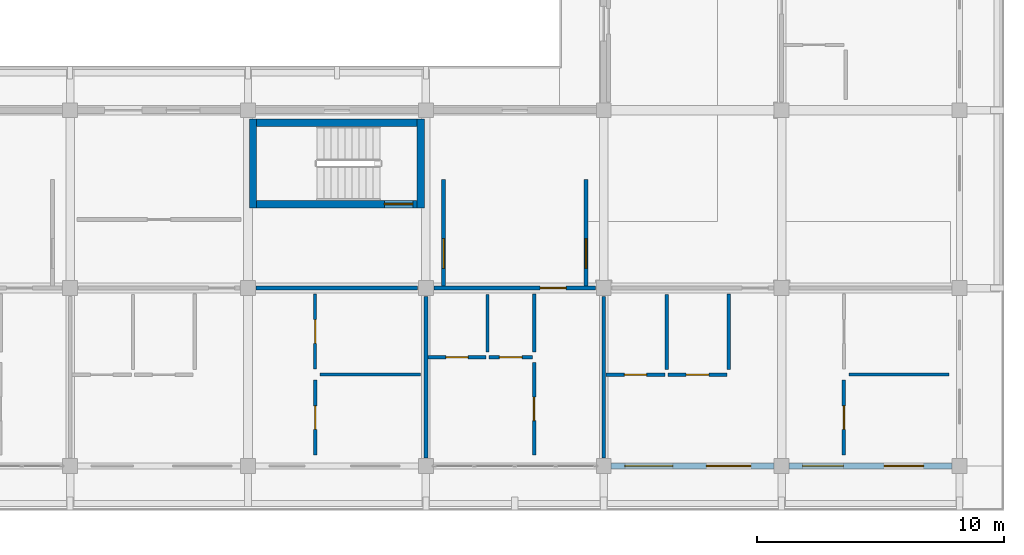
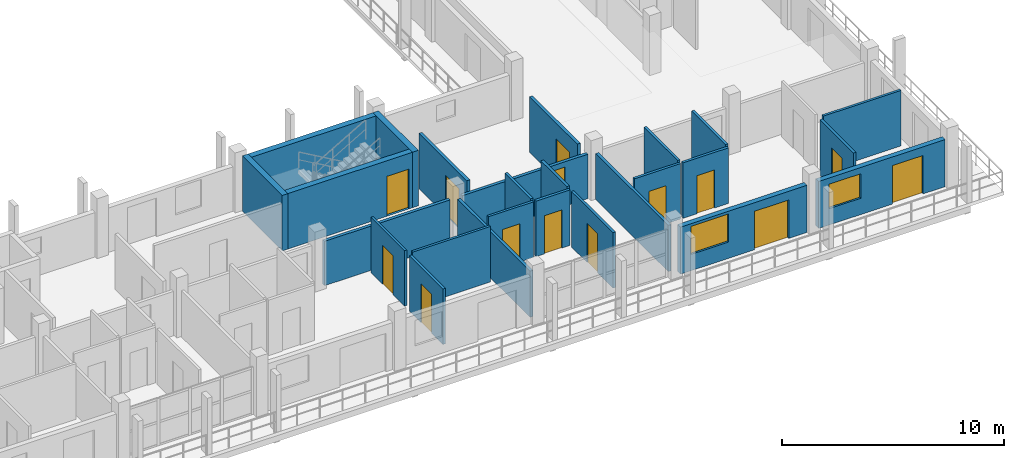
# One storey, part 51 of 75: 26 walls, 14 doors, 2 windows, 16 openings.
"""IFC4 building model written with IfcOpenShell, lengths in metres."""

from ifc_helpers import new_model, si_unit, direction, frame, frame_2d, origin, place, context, subcontext, project, spatial, rectangle, extrude, material, layer, layer_set, type_object, element, fill, save


model = new_model("IFC4")

# Units and contexts
model_context = context("Model", 3, precision=1e-05, world=origin(), true_north=direction((0.0, 1.0)))
body_context = subcontext(model_context, "Body", "Model", "MODEL_VIEW")
ifc_project = project(units=[si_unit("LENGTHUNIT", "METRE"), si_unit("AREAUNIT", "SQUARE_METRE"), si_unit("VOLUMEUNIT", "CUBIC_METRE"), si_unit("PLANEANGLEUNIT", "RADIAN"), si_unit("MASSUNIT", "GRAM", prefix="KILO")], contexts=[model_context])

# Site, building, storey
site_placement = place(None, origin())
site = spatial("IfcSite", under=ifc_project, at=site_placement, CompositionType="ELEMENT")
building_placement = place(site_placement, origin())
building = spatial("IfcBuilding", under=site, at=building_placement, Name="Suanplinth Sawtooth Commons", CompositionType="ELEMENT")
storey_placement = place(building_placement, frame((0.0, 0.0, 18.60009765625)))
storey = spatial("IfcBuildingStorey", under=building, at=storey_placement, Name="L05", CompositionType="ELEMENT", Elevation=18.60009765625)

# Wall, opening, door
ifc_material_1 = material(Name="Concrete C40/50", Category="concrete")
ifc_layer_1 = layer(ifc_material_1, 0.300048828125, Name="Standard RC stair and lift core wall 300mm")
ifc_layer_set_1 = layer_set([ifc_layer_1], Name="Concrete C40/50")
wall_type_1 = type_object("IfcWallType", Name="W-CR02", PredefinedType="SHEAR", material=ifc_layer_set_1)
wall_1_placement = place(storey_placement, frame((158.75, 10.60009765625, 0.0), z_axis=(0.0, 0.0, 1.0), x_axis=(1.0, 0.0, 0.0)))
wall_1 = element("IfcWall", 1, at=wall_1_placement, inside=storey, type_object=wall_type_1, Name="W-L05-C-C2-STS", PredefinedType="SHEAR", context=body_context, shape_type="SweptSolid", body=[
    extrude(rectangle(XDim=6.5, YDim=0.300048828125, at=frame_2d((3.25, 0.0))), origin(), (0.0, 0.0, 1.0), 3.059814453125),
])
opening_1_placement = place(wall_1_placement, frame((5.169921875, 0.0, 0.0)))
opening_1 = element("IfcOpeningElement", 2, at=opening_1_placement, cuts=wall_1, Name="Opening FD0339", PredefinedType="OPENING", context=body_context, shape_type="SweptSolid", body=[
    extrude(rectangle(XDim=1.14990234375, YDim=2.199951171875, at=frame_2d((0.574951171875, 1.10009765625))), frame((0.0, 0.1650390625, 0.0), z_axis=(0.0, -1.0, 0.0), x_axis=(1.0, 0.0, 0.0)), (0.0, 0.0, 1.0), 0.329833984375),
])
ifc_material_2 = material(Name="Teak hardwood fire-rated door assembly", Category="wood")
door_type_1 = type_object("IfcDoorType", Name="FD-01", OperationType="NOTDEFINED", PredefinedType="DOOR", material=ifc_material_2)
door_1_placement = place(opening_1_placement, origin())
door_1 = element("IfcDoor", 3, at=door_1_placement, inside=storey, type_object=door_type_1, Name="Exit Stair Fire Door FD0339", OperationType="SINGLE_SWING_RIGHT", OverallHeight=2.199951171875, OverallWidth=1.14990234375, PredefinedType="DOOR", context=body_context, shape_type="SweptSolid", body=[
    extrude(rectangle(XDim=1.14990234375, YDim=2.199951171875, at=frame_2d((0.574951171875, 1.10009765625))), frame((0.0, 0.02490234375, 0.0), z_axis=(0.0, -1.0, 0.0), x_axis=(1.0, 0.0, 0.0)), (0.0, 0.0, 1.0), 0.050048828125),
])
fill(opening_1, door_1)

# Walls
wall_2_placement = place(storey_placement, frame((158.75, 13.89990234375, 0.0), z_axis=(0.0, 0.0, 1.0), x_axis=(1.0, 0.0, 0.0)))
element("IfcWall", 4, at=wall_2_placement, inside=storey, type_object=wall_type_1, Name="W-L05-C-C2-STN", PredefinedType="SHEAR", context=body_context, shape_type="SweptSolid", body=[
    extrude(rectangle(XDim=6.5, YDim=0.300048828125, at=frame_2d((3.25, 0.0))), origin(), (0.0, 0.0, 1.0), 3.059814453125),
])
for number, where, z_axis, x_axis, name in (
    (5, (158.60009765625, 10.449951171875, 0.0), (0.0, 0.0, 1.0), (0.0, 1.0, 0.0), "W-L05-C-C2-STW"),
    (6, (165.39990234375, 10.449951171875, 0.0), (0.0, 0.0, 1.0), (0.0, 1.0, 0.0), "W-L05-C-C2-STE"),
):
    element("IfcWall", number, at=place(storey_placement, frame(where, z_axis=z_axis, x_axis=x_axis)), inside=storey, type_object=wall_type_1, Name=name, PredefinedType="SHEAR", context=body_context, shape_type="SweptSolid", body=[
        extrude(rectangle(XDim=3.60009765625, YDim=0.300048828125, at=frame_2d((1.800048828125, 0.0))), origin(), (0.0, 0.0, 1.0), 3.059814453125),
    ])

# Wall, openings, door, window
ifc_material_3 = material(Name="Precast concrete C40/50", Category="concrete")
ifc_layer_2 = layer(ifc_material_3, 0.260009765625, Name="Insulated precast courtyard facade wall 260mm")
ifc_layer_set_2 = layer_set([ifc_layer_2], Name="Precast concrete C40/50")
wall_type_2 = type_object("IfcWallType", Name="W-EX02", PredefinedType="ELEMENTEDWALL", material=ifc_layer_set_2)
wall_3_placement = place(storey_placement, frame((173.10009765625, 0.0, 0.0), z_axis=(0.0, 0.0, 1.0), x_axis=(1.0, 0.0, 0.0)))
wall_3 = element("IfcWall", 7, at=wall_3_placement, inside=storey, type_object=wall_type_2, Name="Facade Wall W-L05-C-S-24-0", PredefinedType="ELEMENTEDWALL", context=body_context, shape_type="SweptSolid", body=[
    extrude(rectangle(XDim=6.599853515625, YDim=0.260009765625, at=frame_2d((3.2998046875, 0.0))), origin(), (0.0, 0.0, 1.0), 2.594970703125),
])
opening_2_placement = place(wall_3_placement, frame((3.85009765625, 0.0, 0.0)))
opening_2 = element("IfcOpeningElement", 8, at=opening_2_placement, cuts=wall_3, Name="Opening ED0450", PredefinedType="OPENING", context=body_context, shape_type="SweptSolid", body=[
    extrude(rectangle(XDim=1.800048828125, YDim=2.1201171875, at=frame_2d((0.89990234375, 1.06005859375))), frame((0.0, 0.14501953125, 0.0), z_axis=(0.0, -1.0, 0.0), x_axis=(1.0, 0.0, 0.0)), (0.0, 0.0, 1.0), 0.289794921875),
])
opening_3_placement = place(wall_3_placement, frame((0.550048828125, 0.0, 0.89990234375)))
opening_3 = element("IfcOpeningElement", 9, at=opening_3_placement, cuts=wall_3, Name="Opening W0543", PredefinedType="OPENING", context=body_context, shape_type="SweptSolid", body=[
    extrude(rectangle(XDim=1.949951171875, YDim=1.550048828125, at=frame_2d((0.97509765625, 0.77490234375))), frame((0.0, 0.14501953125, 0.0), z_axis=(0.0, -1.0, 0.0), x_axis=(1.0, 0.0, 0.0)), (0.0, 0.0, 1.0), 0.289794921875),
])
ifc_material_4 = material(Name="Anodized aluminium and low-E glass", Category="aluminium")
door_type_2 = type_object("IfcDoorType", Name="SD-01", OperationType="SLIDING_TO_LEFT", PredefinedType="DOOR", material=ifc_material_4)
door_2_placement = place(opening_2_placement, frame((1.800048828125, 0.0, 0.0), z_axis=(0.0, 0.0, 1.0), x_axis=(-1.0, 0.0, 0.0)))
door_2 = element("IfcDoor", 10, at=door_2_placement, inside=storey, type_object=door_type_2, Name="Balcony Sliding Door L05-C-24", OperationType="SLIDING_TO_LEFT", OverallHeight=2.1201171875, OverallWidth=1.800048828125, PredefinedType="DOOR", context=body_context, shape_type="SweptSolid", body=[
    extrude(rectangle(XDim=1.800048828125, YDim=2.1201171875, at=frame_2d((0.89990234375, 1.06005859375))), frame((0.0, 0.02490234375, 0.0), z_axis=(0.0, -1.0, 0.0), x_axis=(1.0, 0.0, 0.0)), (0.0, 0.0, 1.0), 0.050048828125),
])
fill(opening_2, door_2)
ifc_material_5 = material(Name="Thermally broken aluminium and low-E double glazing", Category="aluminium")
window_type_1 = type_object("IfcWindowType", Name="WN-18", PartitioningType="DOUBLE_PANEL_VERTICAL", PredefinedType="WINDOW", material=ifc_material_5)
window_1_placement = place(opening_3_placement, origin())
window_1 = element("IfcWindow", 11, at=window_1_placement, inside=storey, type_object=window_type_1, Name="Apartment Window L05-C-24", OverallHeight=1.550048828125, OverallWidth=1.949951171875, PartitioningType="DOUBLE_PANEL_VERTICAL", PredefinedType="WINDOW", context=body_context, shape_type="SweptSolid", body=[
    extrude(rectangle(XDim=1.949951171875, YDim=1.550048828125, at=frame_2d((0.97509765625, 0.77490234375))), frame((0.0, 0.030029296875, 0.0), z_axis=(0.0, -1.0, 0.0), x_axis=(1.0, 0.0, 0.0)), (0.0, 0.0, 1.0), 0.06005859375),
])
fill(opening_3, window_1)

wall_4_placement = place(storey_placement, frame((180.300048828125, 0.0, 0.0), z_axis=(0.0, 0.0, 1.0), x_axis=(1.0, 0.0, 0.0)))
wall_4 = element("IfcWall", 12, at=wall_4_placement, inside=storey, type_object=wall_type_2, Name="Facade Wall W-L05-C-S-25-0", PredefinedType="ELEMENTEDWALL", context=body_context, shape_type="SweptSolid", body=[
    extrude(rectangle(XDim=6.599853515625, YDim=0.260009765625, at=frame_2d((3.2998046875, 0.0))), origin(), (0.0, 0.0, 1.0), 2.594970703125),
])
opening_4_placement = place(wall_4_placement, frame((3.85009765625, 0.0, 0.0)))
opening_4 = element("IfcOpeningElement", 13, at=opening_4_placement, cuts=wall_4, Name="Opening ED0454", PredefinedType="OPENING", context=body_context, shape_type="SweptSolid", body=[
    extrude(rectangle(XDim=1.60009765625, YDim=2.1201171875, at=frame_2d((0.800048828125, 1.06005859375))), frame((0.0, 0.14501953125, 0.0), z_axis=(0.0, -1.0, 0.0), x_axis=(1.0, 0.0, 0.0)), (0.0, 0.0, 1.0), 0.289794921875),
])
opening_5_placement = place(wall_4_placement, frame((0.550048828125, 0.0, 0.89990234375)))
opening_5 = element("IfcOpeningElement", 14, at=opening_5_placement, cuts=wall_4, Name="Opening W0545", PredefinedType="OPENING", context=body_context, shape_type="SweptSolid", body=[
    extrude(rectangle(XDim=1.64990234375, YDim=1.35009765625, at=frame_2d((0.824951171875, 0.675048828125))), frame((0.0, 0.14501953125, 0.0), z_axis=(0.0, -1.0, 0.0), x_axis=(1.0, 0.0, 0.0)), (0.0, 0.0, 1.0), 0.289794921875),
])
door_type_3 = type_object("IfcDoorType", Name="SD-02", OperationType="SLIDING_TO_RIGHT", PredefinedType="DOOR", material=ifc_material_4)
door_3_placement = place(opening_4_placement, frame((1.60009765625, 0.0, 0.0), z_axis=(0.0, 0.0, 1.0), x_axis=(-1.0, 0.0, 0.0)))
door_3 = element("IfcDoor", 15, at=door_3_placement, inside=storey, type_object=door_type_3, Name="Balcony Sliding Door L05-C-25", OperationType="SLIDING_TO_RIGHT", OverallHeight=2.1201171875, OverallWidth=1.60009765625, PredefinedType="DOOR", context=body_context, shape_type="SweptSolid", body=[
    extrude(rectangle(XDim=1.60009765625, YDim=2.1201171875, at=frame_2d((0.800048828125, 1.06005859375))), frame((0.0, 0.02490234375, 0.0), z_axis=(0.0, -1.0, 0.0), x_axis=(1.0, 0.0, 0.0)), (0.0, 0.0, 1.0), 0.050048828125),
])
fill(opening_4, door_3)
window_type_2 = type_object("IfcWindowType", Name="WN-19", PartitioningType="DOUBLE_PANEL_VERTICAL", PredefinedType="WINDOW", material=ifc_material_5)
window_2_placement = place(opening_5_placement, origin())
window_2 = element("IfcWindow", 16, at=window_2_placement, inside=storey, type_object=window_type_2, Name="Apartment Window L05-C-25", OverallHeight=1.35009765625, OverallWidth=1.64990234375, PartitioningType="DOUBLE_PANEL_VERTICAL", PredefinedType="WINDOW", context=body_context, shape_type="SweptSolid", body=[
    extrude(rectangle(XDim=1.64990234375, YDim=1.35009765625, at=frame_2d((0.824951171875, 0.675048828125))), frame((0.0, 0.030029296875, 0.0), z_axis=(0.0, -1.0, 0.0), x_axis=(1.0, 0.0, 0.0)), (0.0, 0.0, 1.0), 0.06005859375),
])
fill(opening_5, window_2)

# Wall, opening, door
ifc_layer_3 = layer(ifc_material_3, 0.159912109375, Name="Fire-rated corridor and lobby wall 160mm")
ifc_layer_set_3 = layer_set([ifc_layer_3], Name="Precast concrete C40/50")
wall_type_3 = type_object("IfcWallType", Name="W-FW01", PredefinedType="PARTITIONING", material=ifc_layer_set_3)
wall_5_placement = place(storey_placement, frame((166.320068359375, 7.280029296875, 0.0), z_axis=(0.0, 0.0, 1.0), x_axis=(0.0, 1.0, 0.0)))
wall_5 = element("IfcWall", 17, at=wall_5_placement, inside=storey, type_object=wall_type_3, Name="W-L05-C-C2-LOB-W", PredefinedType="PARTITIONING", context=body_context, shape_type="SweptSolid", body=[
    extrude(rectangle(XDim=4.320068359375, YDim=0.159912109375, at=frame_2d((2.16015625, 0.0))), origin(), (0.0, 0.0, 1.0), 3.059814453125),
])
opening_6_placement = place(wall_5_placement, frame((0.719970703125, 0.0, 0.0)))
opening_6 = element("IfcOpeningElement", 18, at=opening_6_placement, cuts=wall_5, Name="Opening FD0340", PredefinedType="OPENING", context=body_context, shape_type="SweptSolid", body=[
    extrude(rectangle(XDim=1.199951171875, YDim=2.199951171875, at=frame_2d((0.60009765625, 1.10009765625))), frame((0.0, 0.0947265625, 0.0), z_axis=(0.0, -1.0, 0.0), x_axis=(1.0, 0.0, 0.0)), (0.0, 0.0, 1.0), 0.189697265625),
])
door_type_4 = type_object("IfcDoorType", Name="FD-02", OperationType="NOTDEFINED", PredefinedType="DOOR", material=ifc_material_2)
door_4_placement = place(opening_6_placement, origin())
door_4 = element("IfcDoor", 19, at=door_4_placement, inside=storey, type_object=door_type_4, Name="Lobby Fire Door FD0340", OperationType="SINGLE_SWING_LEFT", OverallHeight=2.199951171875, OverallWidth=1.199951171875, PredefinedType="DOOR", context=body_context, shape_type="SweptSolid", body=[
    extrude(rectangle(XDim=1.199951171875, YDim=2.199951171875, at=frame_2d((0.60009765625, 1.10009765625))), frame((0.0, 0.02490234375, 0.0), z_axis=(0.0, -1.0, 0.0), x_axis=(1.0, 0.0, 0.0)), (0.0, 0.0, 1.0), 0.050048828125),
])
fill(opening_6, door_4)

wall_6_placement = place(storey_placement, frame((172.080078125, 7.280029296875, 0.0), z_axis=(0.0, 0.0, 1.0), x_axis=(0.0, 1.0, 0.0)))
wall_6 = element("IfcWall", 20, at=wall_6_placement, inside=storey, type_object=wall_type_3, Name="W-L05-C-C2-LOB-E", PredefinedType="PARTITIONING", context=body_context, shape_type="SweptSolid", body=[
    extrude(rectangle(XDim=4.320068359375, YDim=0.159912109375, at=frame_2d((2.16015625, 0.0))), origin(), (0.0, 0.0, 1.0), 3.059814453125),
])
opening_7_placement = place(wall_6_placement, frame((0.719970703125, 0.0, 0.0)))
opening_7 = element("IfcOpeningElement", 21, at=opening_7_placement, cuts=wall_6, Name="Opening FD0341", PredefinedType="OPENING", context=body_context, shape_type="SweptSolid", body=[
    extrude(rectangle(XDim=1.199951171875, YDim=2.199951171875, at=frame_2d((0.60009765625, 1.10009765625))), frame((0.0, 0.0947265625, 0.0), z_axis=(0.0, -1.0, 0.0), x_axis=(1.0, 0.0, 0.0)), (0.0, 0.0, 1.0), 0.189697265625),
])
door_5_placement = place(opening_7_placement, frame((1.199951171875, 0.0, 0.0), z_axis=(0.0, 0.0, 1.0), x_axis=(-1.0, 0.0, 0.0)))
door_5 = element("IfcDoor", 22, at=door_5_placement, inside=storey, type_object=door_type_4, Name="Lobby Fire Door FD0341", OperationType="SINGLE_SWING_RIGHT", OverallHeight=2.199951171875, OverallWidth=1.199951171875, PredefinedType="DOOR", context=body_context, shape_type="SweptSolid", body=[
    extrude(rectangle(XDim=1.199951171875, YDim=2.199951171875, at=frame_2d((0.60009765625, 1.10009765625))), frame((0.0, 0.02490234375, 0.0), z_axis=(0.0, -1.0, 0.0), x_axis=(1.0, 0.0, 0.0)), (0.0, 0.0, 1.0), 0.050048828125),
])
fill(opening_7, door_5)

# Wall
wall_7_placement = place(storey_placement, frame((158.72998046875, 7.199951171875, 0.0), z_axis=(0.0, 0.0, 1.0), x_axis=(1.0, 0.0, 0.0)))
element("IfcWall", 23, at=wall_7_placement, inside=storey, type_object=wall_type_3, Name="W-C-L05-U03-COR-S2", PredefinedType="PARTITIONING", context=body_context, shape_type="SweptSolid", body=[
    extrude(rectangle(XDim=6.5400390625, YDim=0.159912109375, at=frame_2d((3.27001953125, 0.0))), origin(), (0.0, 0.0, 1.0), 2.44482421875),
])

# Wall, opening, door
wall_8_placement = place(storey_placement, frame((165.929931640625, 7.199951171875, 0.0), z_axis=(0.0, 0.0, 1.0), x_axis=(1.0, 0.0, 0.0)))
wall_8 = element("IfcWall", 24, at=wall_8_placement, inside=storey, type_object=wall_type_3, Name="W-C-L05-U04-COR", PredefinedType="PARTITIONING", context=body_context, shape_type="SweptSolid", body=[
    extrude(rectangle(XDim=6.5400390625, YDim=0.159912109375, at=frame_2d((3.27001953125, 0.0))), origin(), (0.0, 0.0, 1.0), 2.44482421875),
])
opening_8_placement = place(wall_8_placement, frame((4.294921875, 0.0, 0.0)))
opening_8 = element("IfcOpeningElement", 25, at=opening_8_placement, cuts=wall_8, Name="Opening FD1305", PredefinedType="OPENING", context=body_context, shape_type="SweptSolid", body=[
    extrude(rectangle(XDim=1.050048828125, YDim=2.14990234375, at=frame_2d((0.52490234375, 1.074951171875))), frame((0.0, 0.0947265625, 0.0), z_axis=(0.0, -1.0, 0.0), x_axis=(1.0, 0.0, 0.0)), (0.0, 0.0, 1.0), 0.189697265625),
])
door_type_5 = type_object("IfcDoorType", Name="FD-04", OperationType="NOTDEFINED", PredefinedType="DOOR", material=ifc_material_2)
door_6_placement = place(opening_8_placement, frame((1.050048828125, 0.0, 0.0), z_axis=(0.0, 0.0, 1.0), x_axis=(-1.0, 0.0, 0.0)))
door_6 = element("IfcDoor", 26, at=door_6_placement, inside=storey, type_object=door_type_5, Name="Unit Entrance Door FD1305", OperationType="SINGLE_SWING_LEFT", OverallHeight=2.14990234375, OverallWidth=1.050048828125, PredefinedType="DOOR", context=body_context, shape_type="SweptSolid", body=[
    extrude(rectangle(XDim=1.050048828125, YDim=2.14990234375, at=frame_2d((0.52490234375, 1.074951171875))), frame((0.0, 0.02490234375, 0.0), z_axis=(0.0, -1.0, 0.0), x_axis=(1.0, 0.0, 0.0)), (0.0, 0.0, 1.0), 0.050048828125),
])
fill(opening_8, door_6)

# Walls
ifc_layer_4 = layer(ifc_material_3, 0.14990234375, Name="Acoustic precast party demising wall 150mm")
ifc_layer_set_4 = layer_set([ifc_layer_4], Name="Precast concrete C40/50")
wall_type_4 = type_object("IfcWallType", Name="W-FW02", PredefinedType="PARTITIONING", material=ifc_layer_set_4)
for number, where, z_axis, x_axis, name in (
    (27, (165.60009765625, 0.330078125, 0.0), (0.0, 0.0, 1.0), (0.0, 1.0, 0.0), "W-C-L05-U03-PTY"),
    (28, (172.800048828125, 0.330078125, 0.0), (0.0, 0.0, 1.0), (0.0, 1.0, 0.0), "W-C-L05-U04-PTY"),
):
    element("IfcWall", number, at=place(storey_placement, frame(where, z_axis=z_axis, x_axis=x_axis)), inside=storey, type_object=wall_type_4, Name=name, PredefinedType="PARTITIONING", context=body_context, shape_type="SweptSolid", body=[
        extrude(rectangle(XDim=6.5400390625, YDim=0.14990234375, at=frame_2d((3.27001953125, 0.0))), origin(), (0.0, 0.0, 1.0), 2.544921875),
    ])

# Wall, opening, door
ifc_material_6 = material(Name="Gypsum plasterboard on steel stud", Category="steel")
ifc_layer_5 = layer(ifc_material_6, 0.139892578125, Name="Fire-rated kitchen partition 140mm")
ifc_layer_set_5 = layer_set([ifc_layer_5], Name="Gypsum plasterboard on steel stud")
wall_type_5 = type_object("IfcWallType", Name="W-PT01", PredefinedType="PARTITIONING", material=ifc_layer_set_5)
wall_9_placement = place(storey_placement, frame((168.14990234375, 4.39990234375, 0.0), z_axis=(0.0, 0.0, 1.0), x_axis=(1.0, 0.0, 0.0)))
wall_9 = element("IfcWall", 29, at=wall_9_placement, inside=storey, type_object=wall_type_5, Name="W-C-L05-U04-KIT1", PredefinedType="PARTITIONING", context=body_context, shape_type="SweptSolid", body=[
    extrude(rectangle(XDim=1.77001953125, YDim=0.139892578125, at=frame_2d((0.885009765625, 0.0))), origin(), (0.0, 0.0, 1.0), 3.059814453125),
])
opening_9_placement = place(wall_9_placement, frame((0.425048828125, 0.0, 0.0)))
opening_9 = element("IfcOpeningElement", 30, at=opening_9_placement, cuts=wall_9, Name="Opening D1307", PredefinedType="OPENING", context=body_context, shape_type="SweptSolid", body=[
    extrude(rectangle(XDim=0.919921875, YDim=2.10009765625, at=frame_2d((0.4599609375, 1.050048828125))), frame((0.0, 0.0849609375, 0.0), z_axis=(0.0, -1.0, 0.0), x_axis=(1.0, 0.0, 0.0)), (0.0, 0.0, 1.0), 0.169677734375),
])
ifc_material_7 = material(Name="Teak hardwood", Category="wood")
door_type_6 = type_object("IfcDoorType", Name="D-02", OperationType="NOTDEFINED", PredefinedType="DOOR", material=ifc_material_7)
door_7_placement = place(opening_9_placement, origin())
door_7 = element("IfcDoor", 31, at=door_7_placement, inside=storey, type_object=door_type_6, Name="Kitchen Door D1307", OperationType="SINGLE_SWING_LEFT", OverallHeight=2.10009765625, OverallWidth=0.919921875, PredefinedType="DOOR", context=body_context, shape_type="SweptSolid", body=[
    extrude(rectangle(XDim=0.919921875, YDim=2.10009765625, at=frame_2d((0.4599609375, 1.050048828125))), frame((0.0, 0.02490234375, 0.0), z_axis=(0.0, -1.0, 0.0), x_axis=(1.0, 0.0, 0.0)), (0.0, 0.0, 1.0), 0.050048828125),
])
fill(opening_9, door_7)

# Wall
wall_10_placement = place(storey_placement, frame((169.989990234375, 4.6201171875, 0.0), z_axis=(0.0, 0.0, 1.0), x_axis=(0.0, 1.0, 0.0)))
element("IfcWall", 32, at=wall_10_placement, inside=storey, type_object=wall_type_5, Name="W-C-L05-U04-KIT2", PredefinedType="PARTITIONING", context=body_context, shape_type="SweptSolid", body=[
    extrude(rectangle(XDim=2.349853515625, YDim=0.139892578125, at=frame_2d((1.1748046875, 0.0))), origin(), (0.0, 0.0, 1.0), 3.059814453125),
])

# Wall, opening, door
wall_11_placement = place(storey_placement, frame((175.39990234375, 3.68994140625, 0.0), z_axis=(0.0, 0.0, 1.0), x_axis=(1.0, 0.0, 0.0)))
wall_11 = element("IfcWall", 33, at=wall_11_placement, inside=storey, type_object=wall_type_5, Name="W-C-L05-U05-KIT1", PredefinedType="PARTITIONING", context=body_context, shape_type="SweptSolid", body=[
    extrude(rectangle(XDim=2.380126953125, YDim=0.139892578125, at=frame_2d((1.18994140625, 0.0))), origin(), (0.0, 0.0, 1.0), 3.059814453125),
])
opening_10_placement = place(wall_11_placement, frame((0.72998046875, 0.0, 0.0)))
opening_10 = element("IfcOpeningElement", 34, at=opening_10_placement, cuts=wall_11, Name="Opening D1311", PredefinedType="OPENING", context=body_context, shape_type="SweptSolid", body=[
    extrude(rectangle(XDim=0.919921875, YDim=2.10009765625, at=frame_2d((0.4599609375, 1.050048828125))), frame((0.0, 0.0849609375, 0.0), z_axis=(0.0, -1.0, 0.0), x_axis=(1.0, 0.0, 0.0)), (0.0, 0.0, 1.0), 0.169677734375),
])
door_8_placement = place(opening_10_placement, origin())
door_8 = element("IfcDoor", 35, at=door_8_placement, inside=storey, type_object=door_type_6, Name="Kitchen Door D1311", OperationType="SINGLE_SWING_LEFT", OverallHeight=2.10009765625, OverallWidth=0.919921875, PredefinedType="DOOR", context=body_context, shape_type="SweptSolid", body=[
    extrude(rectangle(XDim=0.919921875, YDim=2.10009765625, at=frame_2d((0.4599609375, 1.050048828125))), frame((0.0, 0.02490234375, 0.0), z_axis=(0.0, -1.0, 0.0), x_axis=(1.0, 0.0, 0.0)), (0.0, 0.0, 1.0), 0.050048828125),
])
fill(opening_10, door_8)

# Wall
wall_12_placement = place(storey_placement, frame((177.85009765625, 3.909912109375, 0.0), z_axis=(0.0, 0.0, 1.0), x_axis=(0.0, 1.0, 0.0)))
element("IfcWall", 36, at=wall_12_placement, inside=storey, type_object=wall_type_5, Name="W-C-L05-U05-KIT2", PredefinedType="PARTITIONING", context=body_context, shape_type="SweptSolid", body=[
    extrude(rectangle(XDim=3.06005859375, YDim=0.139892578125, at=frame_2d((1.530029296875, 0.0))), origin(), (0.0, 0.0, 1.0), 3.059814453125),
])

# Wall, opening, door
ifc_layer_6 = layer(ifc_material_6, 0.1298828125, Name="Moisture-resistant bathroom partition 130mm")
ifc_layer_set_6 = layer_set([ifc_layer_6], Name="Gypsum plasterboard on steel stud")
wall_type_6 = type_object("IfcWallType", Name="W-PT02", PredefinedType="PARTITIONING", material=ifc_layer_set_6)
wall_13_placement = place(storey_placement, frame((165.679931640625, 4.405029296875, 0.0), z_axis=(0.0, 0.0, 1.0), x_axis=(1.0, 0.0, 0.0)))
wall_13 = element("IfcWall", 37, at=wall_13_placement, inside=storey, type_object=wall_type_6, Name="W-C-L05-U04-BTH1", PredefinedType="PARTITIONING", context=body_context, shape_type="SweptSolid", body=[
    extrude(rectangle(XDim=2.35009765625, YDim=0.1298828125, at=frame_2d((1.175048828125, 0.0))), origin(), (0.0, 0.0, 1.0), 3.059814453125),
])
opening_11_placement = place(wall_13_placement, frame((0.72509765625, 0.0, 0.0)))
opening_11 = element("IfcOpeningElement", 38, at=opening_11_placement, cuts=wall_13, Name="Opening D1306", PredefinedType="OPENING", context=body_context, shape_type="SweptSolid", body=[
    extrude(rectangle(XDim=0.89990234375, YDim=2.10009765625, at=frame_2d((0.449951171875, 1.050048828125))), frame((0.0, 0.079833984375, 0.0), z_axis=(0.0, -1.0, 0.0), x_axis=(1.0, 0.0, 0.0)), (0.0, 0.0, 1.0), 0.15966796875),
])
door_type_7 = type_object("IfcDoorType", Name="D-01", OperationType="NOTDEFINED", PredefinedType="DOOR", material=ifc_material_7)
door_9_placement = place(opening_11_placement, origin())
door_9 = element("IfcDoor", 39, at=door_9_placement, inside=storey, type_object=door_type_7, Name="Bathroom Door D1306", OperationType="SINGLE_SWING_RIGHT", OverallHeight=2.10009765625, OverallWidth=0.89990234375, PredefinedType="DOOR", context=body_context, shape_type="SweptSolid", body=[
    extrude(rectangle(XDim=0.89990234375, YDim=2.10009765625, at=frame_2d((0.449951171875, 1.050048828125))), frame((0.0, 0.02490234375, 0.0), z_axis=(0.0, -1.0, 0.0), x_axis=(1.0, 0.0, 0.0)), (0.0, 0.0, 1.0), 0.050048828125),
])
fill(opening_11, door_9)

# Wall
wall_14_placement = place(storey_placement, frame((168.094970703125, 4.610107421875, 0.0), z_axis=(0.0, 0.0, 1.0), x_axis=(0.0, 1.0, 0.0)))
element("IfcWall", 40, at=wall_14_placement, inside=storey, type_object=wall_type_6, Name="W-C-L05-U04-BTH2", PredefinedType="PARTITIONING", context=body_context, shape_type="SweptSolid", body=[
    extrude(rectangle(XDim=2.329833984375, YDim=0.1298828125, at=frame_2d((1.1650390625, 0.0))), origin(), (0.0, 0.0, 1.0), 3.059814453125),
])

# Wall, opening, door
wall_15_placement = place(storey_placement, frame((172.8798828125, 3.695068359375, 0.0), z_axis=(0.0, 0.0, 1.0), x_axis=(1.0, 0.0, 0.0)))
wall_15 = element("IfcWall", 41, at=wall_15_placement, inside=storey, type_object=wall_type_6, Name="W-C-L05-U05-BTH1", PredefinedType="PARTITIONING", context=body_context, shape_type="SweptSolid", body=[
    extrude(rectangle(XDim=2.400146484375, YDim=0.1298828125, at=frame_2d((1.2001953125, 0.0))), origin(), (0.0, 0.0, 1.0), 3.059814453125),
])
opening_12_placement = place(wall_15_placement, frame((0.75, 0.0, 0.0)))
opening_12 = element("IfcOpeningElement", 42, at=opening_12_placement, cuts=wall_15, Name="Opening D1310", PredefinedType="OPENING", context=body_context, shape_type="SweptSolid", body=[
    extrude(rectangle(XDim=0.89990234375, YDim=2.10009765625, at=frame_2d((0.449951171875, 1.050048828125))), frame((0.0, 0.079833984375, 0.0), z_axis=(0.0, -1.0, 0.0), x_axis=(1.0, 0.0, 0.0)), (0.0, 0.0, 1.0), 0.15966796875),
])
door_10_placement = place(opening_12_placement, origin())
door_10 = element("IfcDoor", 43, at=door_10_placement, inside=storey, type_object=door_type_7, Name="Bathroom Door D1310", OperationType="SINGLE_SWING_RIGHT", OverallHeight=2.10009765625, OverallWidth=0.89990234375, PredefinedType="DOOR", context=body_context, shape_type="SweptSolid", body=[
    extrude(rectangle(XDim=0.89990234375, YDim=2.10009765625, at=frame_2d((0.449951171875, 1.050048828125))), frame((0.0, 0.02490234375, 0.0), z_axis=(0.0, -1.0, 0.0), x_axis=(1.0, 0.0, 0.0)), (0.0, 0.0, 1.0), 0.050048828125),
])
fill(opening_12, door_10)

# Wall
wall_16_placement = place(storey_placement, frame((175.344970703125, 3.89990234375, 0.0), z_axis=(0.0, 0.0, 1.0), x_axis=(0.0, 1.0, 0.0)))
element("IfcWall", 44, at=wall_16_placement, inside=storey, type_object=wall_type_6, Name="W-C-L05-U05-BTH2", PredefinedType="PARTITIONING", context=body_context, shape_type="SweptSolid", body=[
    extrude(rectangle(XDim=3.0400390625, YDim=0.1298828125, at=frame_2d((1.52001953125, 0.0))), origin(), (0.0, 0.0, 1.0), 3.059814453125),
])

# Wall, opening, door
ifc_layer_7 = layer(ifc_material_6, 0.1201171875, Name="Acoustic bedroom partition 120mm")
ifc_layer_set_7 = layer_set([ifc_layer_7], Name="Gypsum plasterboard on steel stud")
wall_type_7 = type_object("IfcWallType", Name="W-PT03", PredefinedType="PARTITIONING", material=ifc_layer_set_7)
wall_17_placement = place(storey_placement, frame((161.1201171875, 3.919921875, 0.0), z_axis=(0.0, 0.0, 1.0), x_axis=(0.0, 1.0, 0.0)))
wall_17 = element("IfcWall", 45, at=wall_17_placement, inside=storey, type_object=wall_type_7, Name="W-C-L05-U03-BED2", PredefinedType="PARTITIONING", context=body_context, shape_type="SweptSolid", body=[
    extrude(rectangle(XDim=3.0400390625, YDim=0.1201171875, at=frame_2d((1.52001953125, 0.0))), origin(), (0.0, 0.0, 1.0), 3.059814453125),
])
opening_13_placement = place(wall_17_placement, frame((1.0400390625, 0.0, 0.0)))
opening_13 = element("IfcOpeningElement", 46, at=opening_13_placement, cuts=wall_17, Name="Opening D1304", PredefinedType="OPENING", context=body_context, shape_type="SweptSolid", body=[
    extrude(rectangle(XDim=0.9599609375, YDim=2.14990234375, at=frame_2d((0.47998046875, 1.074951171875))), frame((0.0, 0.074951171875, 0.0), z_axis=(0.0, -1.0, 0.0), x_axis=(1.0, 0.0, 0.0)), (0.0, 0.0, 1.0), 0.14990234375),
])
door_type_8 = type_object("IfcDoorType", Name="D-13", OperationType="NOTDEFINED", PredefinedType="DOOR", material=ifc_material_7)
door_11_placement = place(opening_13_placement, frame((0.9599609375, 0.0, 0.0), z_axis=(0.0, 0.0, 1.0), x_axis=(-1.0, 0.0, 0.0)))
door_11 = element("IfcDoor", 47, at=door_11_placement, inside=storey, type_object=door_type_8, Name="Second Bedroom Door D1304", OperationType="SINGLE_SWING_RIGHT", OverallHeight=2.14990234375, OverallWidth=0.9599609375, PredefinedType="DOOR", context=body_context, shape_type="SweptSolid", body=[
    extrude(rectangle(XDim=0.9599609375, YDim=2.14990234375, at=frame_2d((0.47998046875, 1.074951171875))), frame((0.0, 0.02490234375, 0.0), z_axis=(0.0, -1.0, 0.0), x_axis=(1.0, 0.0, 0.0)), (0.0, 0.0, 1.0), 0.050048828125),
])
fill(opening_13, door_11)

# Walls
ifc_layer_8 = layer(ifc_material_6, 0.125, Name="Acoustic study partition 125mm")
ifc_layer_set_8 = layer_set([ifc_layer_8], Name="Gypsum plasterboard on steel stud")
wall_type_8 = type_object("IfcWallType", Name="W-PT06", PredefinedType="PARTITIONING", material=ifc_layer_set_8)
wall_18_placement = place(storey_placement, frame((161.320068359375, 3.699951171875, 0.0), z_axis=(0.0, 0.0, 1.0), x_axis=(1.0, 0.0, 0.0)))
element("IfcWall", 48, at=wall_18_placement, inside=storey, type_object=wall_type_8, Name="W-C-L05-U03-BEDDIV", PredefinedType="PARTITIONING", context=body_context, shape_type="SweptSolid", body=[
    extrude(rectangle(XDim=4.059814453125, YDim=0.125, at=frame_2d((2.02978515625, 0.0))), origin(), (0.0, 0.0, 1.0), 3.059814453125),
])
wall_19_placement = place(storey_placement, frame((182.719970703125, 3.699951171875, 0.0), z_axis=(0.0, 0.0, 1.0), x_axis=(1.0, 0.0, 0.0)))
element("IfcWall", 49, at=wall_19_placement, inside=storey, type_object=wall_type_8, Name="W-C-L05-U05-BEDDIV", PredefinedType="PARTITIONING", context=body_context, shape_type="SweptSolid", body=[
    extrude(rectangle(XDim=4.06005859375, YDim=0.125, at=frame_2d((2.030029296875, 0.0))), origin(), (0.0, 0.0, 1.0), 3.059814453125),
])

# Wall, opening, door
ifc_layer_9 = layer(ifc_material_6, 0.135009765625, Name="Insulated bedroom demising partition 135mm")
ifc_layer_set_9 = layer_set([ifc_layer_9], Name="Gypsum plasterboard on steel stud")
wall_type_9 = type_object("IfcWallType", Name="W-PT07", PredefinedType="PARTITIONING", material=ifc_layer_set_9)
wall_20_placement = place(storey_placement, frame((161.1201171875, 0.43994140625, 0.0), z_axis=(0.0, 0.0, 1.0), x_axis=(0.0, 1.0, 0.0)))
wall_20 = element("IfcWall", 50, at=wall_20_placement, inside=storey, type_object=wall_type_9, Name="W-C-L05-U03-BED1", PredefinedType="PARTITIONING", context=body_context, shape_type="SweptSolid", body=[
    extrude(rectangle(XDim=3.0400390625, YDim=0.135009765625, at=frame_2d((1.52001953125, 0.0))), origin(), (0.0, 0.0, 1.0), 3.059814453125),
])
opening_14_placement = place(wall_20_placement, frame((1.044921875, 0.0, 0.0)))
opening_14 = element("IfcOpeningElement", 51, at=opening_14_placement, cuts=wall_20, Name="Opening D1303", PredefinedType="OPENING", context=body_context, shape_type="SweptSolid", body=[
    extrude(rectangle(XDim=0.949951171875, YDim=2.14990234375, at=frame_2d((0.47509765625, 1.074951171875))), frame((0.0, 0.08251953125, 0.0), z_axis=(0.0, -1.0, 0.0), x_axis=(1.0, 0.0, 0.0)), (0.0, 0.0, 1.0), 0.164794921875),
])
door_type_9 = type_object("IfcDoorType", Name="D-03", OperationType="NOTDEFINED", PredefinedType="DOOR", material=ifc_material_7)
door_12_placement = place(opening_14_placement, frame((0.949951171875, 0.0, 0.0), z_axis=(0.0, 0.0, 1.0), x_axis=(-1.0, 0.0, 0.0)))
door_12 = element("IfcDoor", 52, at=door_12_placement, inside=storey, type_object=door_type_9, Name="Bedroom Door D1303", OperationType="SINGLE_SWING_LEFT", OverallHeight=2.14990234375, OverallWidth=0.949951171875, PredefinedType="DOOR", context=body_context, shape_type="SweptSolid", body=[
    extrude(rectangle(XDim=0.949951171875, YDim=2.14990234375, at=frame_2d((0.47509765625, 1.074951171875))), frame((0.0, 0.02490234375, 0.0), z_axis=(0.0, -1.0, 0.0), x_axis=(1.0, 0.0, 0.0)), (0.0, 0.0, 1.0), 0.050048828125),
])
fill(opening_14, door_12)

wall_21_placement = place(storey_placement, frame((169.97998046875, 0.43994140625, 0.0), z_axis=(0.0, 0.0, 1.0), x_axis=(0.0, 1.0, 0.0)))
wall_21 = element("IfcWall", 53, at=wall_21_placement, inside=storey, type_object=wall_type_9, Name="W-C-L05-U04-BED1", PredefinedType="PARTITIONING", context=body_context, shape_type="SweptSolid", body=[
    extrude(rectangle(XDim=3.75, YDim=0.135009765625, at=frame_2d((1.875, 0.0))), origin(), (0.0, 0.0, 1.0), 3.059814453125),
])
opening_15_placement = place(wall_21_placement, frame((1.39990234375, 0.0, 0.0)))
opening_15 = element("IfcOpeningElement", 54, at=opening_15_placement, cuts=wall_21, Name="Opening D1308", PredefinedType="OPENING", context=body_context, shape_type="SweptSolid", body=[
    extrude(rectangle(XDim=0.949951171875, YDim=2.14990234375, at=frame_2d((0.47509765625, 1.074951171875))), frame((0.0, 0.08251953125, 0.0), z_axis=(0.0, -1.0, 0.0), x_axis=(1.0, 0.0, 0.0)), (0.0, 0.0, 1.0), 0.164794921875),
])
door_13_placement = place(opening_15_placement, origin())
door_13 = element("IfcDoor", 55, at=door_13_placement, inside=storey, type_object=door_type_9, Name="Bedroom Door D1308", OperationType="SINGLE_SWING_RIGHT", OverallHeight=2.14990234375, OverallWidth=0.949951171875, PredefinedType="DOOR", context=body_context, shape_type="SweptSolid", body=[
    extrude(rectangle(XDim=0.949951171875, YDim=2.14990234375, at=frame_2d((0.47509765625, 1.074951171875))), frame((0.0, 0.02490234375, 0.0), z_axis=(0.0, -1.0, 0.0), x_axis=(1.0, 0.0, 0.0)), (0.0, 0.0, 1.0), 0.050048828125),
])
fill(opening_15, door_13)

wall_22_placement = place(storey_placement, frame((182.52001953125, 0.43994140625, 0.0), z_axis=(0.0, 0.0, 1.0), x_axis=(0.0, 1.0, 0.0)))
wall_22 = element("IfcWall", 56, at=wall_22_placement, inside=storey, type_object=wall_type_9, Name="W-C-L05-U05-BED1", PredefinedType="PARTITIONING", context=body_context, shape_type="SweptSolid", body=[
    extrude(rectangle(XDim=3.0400390625, YDim=0.135009765625, at=frame_2d((1.52001953125, 0.0))), origin(), (0.0, 0.0, 1.0), 3.059814453125),
])
opening_16_placement = place(wall_22_placement, frame((1.044921875, 0.0, 0.0)))
opening_16 = element("IfcOpeningElement", 57, at=opening_16_placement, cuts=wall_22, Name="Opening D1312", PredefinedType="OPENING", context=body_context, shape_type="SweptSolid", body=[
    extrude(rectangle(XDim=0.949951171875, YDim=2.14990234375, at=frame_2d((0.47509765625, 1.074951171875))), frame((0.0, 0.08251953125, 0.0), z_axis=(0.0, -1.0, 0.0), x_axis=(1.0, 0.0, 0.0)), (0.0, 0.0, 1.0), 0.164794921875),
])
door_14_placement = place(opening_16_placement, frame((0.949951171875, 0.0, 0.0), z_axis=(0.0, 0.0, 1.0), x_axis=(-1.0, 0.0, 0.0)))
door_14 = element("IfcDoor", 58, at=door_14_placement, inside=storey, type_object=door_type_9, Name="Bedroom Door D1312", OperationType="SINGLE_SWING_RIGHT", OverallHeight=2.14990234375, OverallWidth=0.949951171875, PredefinedType="DOOR", context=body_context, shape_type="SweptSolid", body=[
    extrude(rectangle(XDim=0.949951171875, YDim=2.14990234375, at=frame_2d((0.47509765625, 1.074951171875))), frame((0.0, 0.02490234375, 0.0), z_axis=(0.0, -1.0, 0.0), x_axis=(1.0, 0.0, 0.0)), (0.0, 0.0, 1.0), 0.050048828125),
])
fill(opening_16, door_14)

save(model, "model.ifc")
